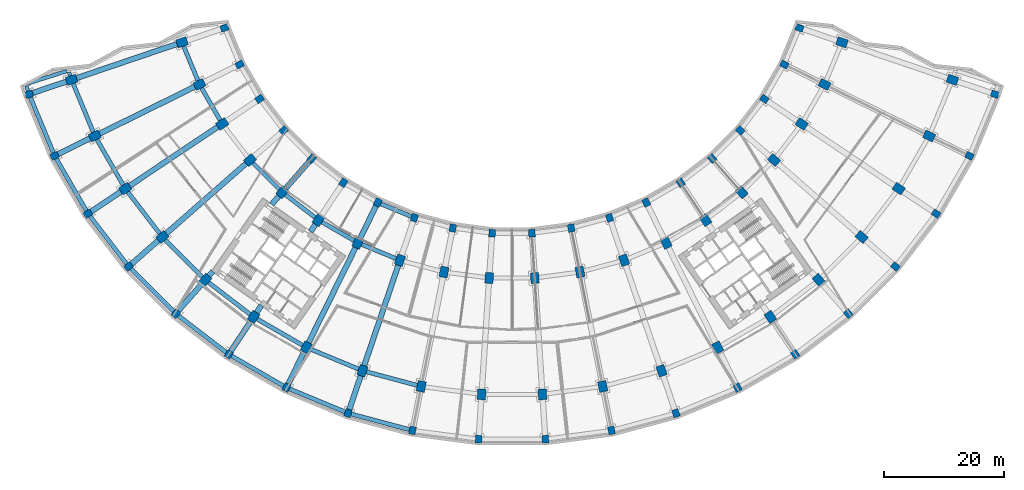
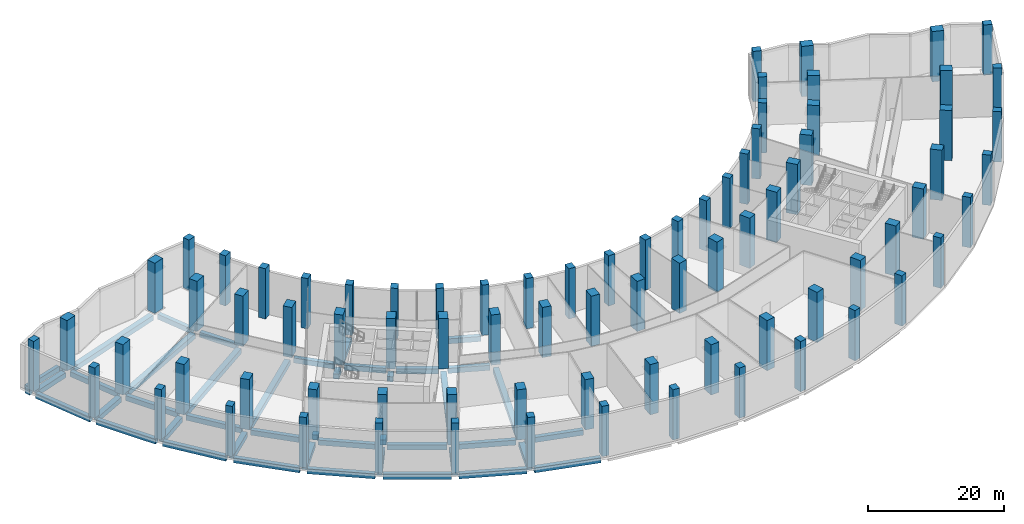
# One storey, part 1 of 19: 80 columns, 46 beams.
"""IFC4 building model written with IfcOpenShell, lengths in metres."""

from ifc_helpers import new_model, si_unit, direction, frame, origin, origin_2d, place, context, subcontext, project, spatial, rectangle, extrude, material, material_profile, profile_set, type_object, element, save


model = new_model("IFC4")

# Units and contexts
model_context = context("Model", 3, precision=1e-05, world=origin(), true_north=direction((0.0, 1.0)))
body_context = subcontext(model_context, "Body", "Model", "MODEL_VIEW")
ifc_project = project(units=[si_unit("LENGTHUNIT", "METRE"), si_unit("AREAUNIT", "SQUARE_METRE"), si_unit("VOLUMEUNIT", "CUBIC_METRE"), si_unit("PLANEANGLEUNIT", "RADIAN"), si_unit("MASSUNIT", "GRAM", prefix="KILO")], contexts=[model_context])

# Site, building, storey
site_placement = place(None, origin())
site = spatial("IfcSite", under=ifc_project, at=site_placement, CompositionType="ELEMENT")
building_placement = place(site_placement, origin())
building = spatial("IfcBuilding", under=site, at=building_placement, Name="Qamariyya Broadcast Tower", CompositionType="ELEMENT")
storey_placement = place(building_placement, frame((0.0, 0.0, 9.0)))
storey = spatial("IfcBuildingStorey", under=building, at=storey_placement, Name="L01", CompositionType="ELEMENT", Elevation=9.0)

# Columns
ifc_material_1 = material(Name="Concrete C70/85", Category="concrete")
ifc_material_profile_1 = material_profile(ifc_material_1, rectangle(XDim=1.10009765625, YDim=1.300048828125, at=origin_2d()))
ifc_profile_set_1 = profile_set([ifc_material_profile_1], Name="Concrete C70/85")
column_type_1 = type_object("IfcColumnType", Name="RC column 1100 x 1300 C70/85", PredefinedType="COLUMN", material=ifc_profile_set_1)
for number, where, z_axis, x_axis, name in (
    (1, (-48.056640625, -16.31298828125, 0.0), (0.0, 0.0, 1.0), (0.321439465303, -0.946930129495, 0.0), "Column C3 L01 A-R01"),
    (2, (-80.725830078125, -27.40283203125, 0.0), (0.0, 0.0, 1.0), (0.321439465303, -0.946930129495, 0.0), "Column C3 L01 D-R01"),
    (3, (-45.516357421875, -22.446044921875, 0.0), (0.0, 0.0, 1.0), (0.442288690219, -0.896872741533, 0.0), "Column C3 L01 A-R02"),
    (4, (-76.45849609375, -37.705078125, 0.0), (0.0, 0.0, 1.0), (0.442288690219, -0.896872741533, 0.0), "Column C3 L01 D-R02"),
    (5, (-42.197021484375, -28.195068359375, 0.0), (0.0, 0.0, 1.0), (0.55557023302, -0.831469612303, 0.0), "Column C3 L01 A-R03"),
    (6, (-70.8828125, -47.3623046875, 0.0), (0.0, 0.0, 1.0), (0.55557023302, -0.831469612303, 0.0), "Column C3 L01 D-R03"),
    (7, (-38.15576171875, -33.4619140625, 0.0), (0.0, 0.0, 1.0), (0.6593458151, -0.751839807479, 0.0), "Column C3 L01 A-R04"),
    (8, (-64.09423828125, -56.209228515625, 0.0), (0.0, 0.0, 1.0), (0.6593458151, -0.751839807479, 0.0), "Column C3 L01 D-R04"),
    (9, (-33.4619140625, -38.15576171875, 0.0), (0.0, 0.0, 1.0), (0.751839807479, -0.6593458151, 0.0), "Column C3 L01 A-R05"),
    (10, (-56.209228515625, -64.09423828125, 0.0), (0.0, 0.0, 1.0), (0.751839807479, -0.6593458151, 0.0), "Column C3 L01 D-R05"),
    (11, (-28.195068359375, -42.197021484375, 0.0), (0.0, 0.0, 1.0), (0.831469612303, -0.55557023302, 0.0), "Column C3 L01 A-R06"),
    (12, (-47.3623046875, -70.8828125, 0.0), (0.0, 0.0, 1.0), (0.831469612303, -0.55557023302, 0.0), "Column C3 L01 D-R06"),
    (13, (-22.446044921875, -45.516357421875, 0.0), (0.0, 0.0, 1.0), (0.896872741533, -0.442288690219, 0.0), "Column C3 L01 A-R07"),
    (14, (-37.705078125, -76.45849609375, 0.0), (0.0, 0.0, 1.0), (0.896872741533, -0.442288690219, 0.0), "Column C3 L01 D-R07"),
    (15, (-16.31298828125, -48.056640625, 0.0), (0.0, 0.0, 1.0), (0.946930129495, -0.321439465303, 0.0), "Column C3 L01 A-R08"),
    (16, (-27.40283203125, -80.725830078125, 0.0), (0.0, 0.0, 1.0), (0.946930129495, -0.321439465303, 0.0), "Column C3 L01 D-R08"),
    (17, (-9.90087890625, -49.77490234375, 0.0), (0.0, 0.0, 1.0), (0.980785280403, -0.195090322016, 0.0), "Column C3 L01 A-R09"),
    (18, (-16.63134765625, -83.612060546875, 0.0), (0.0, 0.0, 1.0), (0.980785280403, -0.195090322016, 0.0), "Column C3 L01 D-R09"),
    (19, (-3.319091796875, -50.641357421875, 0.0), (0.0, 0.0, 1.0), (0.997858923239, -0.06540312923, 0.0), "Column C3 L01 A-R10"),
    (20, (-5.57568359375, -85.0673828125, 0.0), (0.0, 0.0, 1.0), (0.997858923239, -0.06540312923, 0.0), "Column C3 L01 D-R10"),
    (21, (3.319091796875, -50.641357421875, 0.0), (0.0, 0.0, 1.0), (0.997858923239, 0.06540312923, 0.0), "Column C3 L01 A-R11"),
    (22, (5.57568359375, -85.0673828125, 0.0), (0.0, 0.0, 1.0), (0.997858923239, 0.06540312923, 0.0), "Column C3 L01 D-R11"),
    (23, (9.90087890625, -49.77490234375, 0.0), (0.0, 0.0, 1.0), (0.980785280403, 0.195090322016, 0.0), "Column C3 L01 A-R12"),
    (24, (16.63134765625, -83.612060546875, 0.0), (0.0, 0.0, 1.0), (0.980785280403, 0.195090322016, 0.0), "Column C3 L01 D-R12"),
    (25, (16.31298828125, -48.056640625, 0.0), (0.0, 0.0, 1.0), (0.946930129495, 0.321439465303, 0.0), "Column C3 L01 A-R13"),
    (26, (27.40283203125, -80.725830078125, 0.0), (0.0, 0.0, 1.0), (0.946930129495, 0.321439465303, 0.0), "Column C3 L01 D-R13"),
    (27, (22.446044921875, -45.516357421875, 0.0), (0.0, 0.0, 1.0), (0.896872741533, 0.442288690219, 0.0), "Column C3 L01 A-R14"),
    (28, (37.705078125, -76.45849609375, 0.0), (0.0, 0.0, 1.0), (0.896872741533, 0.442288690219, 0.0), "Column C3 L01 D-R14"),
    (29, (28.195068359375, -42.197021484375, 0.0), (0.0, 0.0, 1.0), (0.831469612303, 0.55557023302, 0.0), "Column C3 L01 A-R15"),
    (30, (47.3623046875, -70.8828125, 0.0), (0.0, 0.0, 1.0), (0.831469612303, 0.55557023302, 0.0), "Column C3 L01 D-R15"),
    (31, (33.4619140625, -38.15576171875, 0.0), (0.0, 0.0, 1.0), (0.751839807479, 0.6593458151, 0.0), "Column C3 L01 A-R16"),
    (32, (56.209228515625, -64.09423828125, 0.0), (0.0, 0.0, 1.0), (0.751839807479, 0.6593458151, 0.0), "Column C3 L01 D-R16"),
    (33, (38.15576171875, -33.4619140625, 0.0), (0.0, 0.0, 1.0), (0.6593458151, 0.751839807479, 0.0), "Column C3 L01 A-R17"),
    (34, (64.09423828125, -56.209228515625, 0.0), (0.0, 0.0, 1.0), (0.6593458151, 0.751839807479, 0.0), "Column C3 L01 D-R17"),
    (35, (42.197021484375, -28.195068359375, 0.0), (0.0, 0.0, 1.0), (0.55557023302, 0.831469612303, 0.0), "Column C3 L01 A-R18"),
    (36, (70.8828125, -47.3623046875, 0.0), (0.0, 0.0, 1.0), (0.55557023302, 0.831469612303, 0.0), "Column C3 L01 D-R18"),
    (37, (45.516357421875, -22.446044921875, 0.0), (0.0, 0.0, 1.0), (0.442288690219, 0.896872741533, 0.0), "Column C3 L01 A-R19"),
    (38, (76.45849609375, -37.705078125, 0.0), (0.0, 0.0, 1.0), (0.442288690219, 0.896872741533, 0.0), "Column C3 L01 D-R19"),
    (39, (48.056640625, -16.31298828125, 0.0), (0.0, 0.0, 1.0), (0.321439465303, 0.946930129495, 0.0), "Column C3 L01 A-R20"),
    (40, (80.725830078125, -27.40283203125, 0.0), (0.0, 0.0, 1.0), (0.321439465303, 0.946930129495, 0.0), "Column C3 L01 D-R20"),
):
    element("IfcColumn", number, at=place(storey_placement, frame(where, z_axis=z_axis, x_axis=x_axis)), inside=storey, type_object=column_type_1, Name=name, PredefinedType="COLUMN", context=body_context, shape_type="SweptSolid", body=[
        extrude(rectangle(XDim=1.10009765625, YDim=1.300048828125, at=origin_2d()), origin(), (0.0, 0.0, 1.0), 9.0),
    ])
ifc_material_profile_2 = material_profile(ifc_material_1, rectangle(XDim=1.39990234375, YDim=1.800048828125, at=origin_2d()))
ifc_profile_set_2 = profile_set([ifc_material_profile_2], Name="Concrete C70/85")
column_type_2 = type_object("IfcColumnType", Name="RC column 1400 x 1800 C70/85", PredefinedType="COLUMN", material=ifc_profile_set_2)
for number, where, z_axis, x_axis, name in (
    (41, (-55.15869140625, -18.723876953125, 0.0), (0.0, 0.0, 1.0), (0.321439465303, -0.946930129495, 0.0), "Column C4 L01 B-R01"),
    (42, (-73.623779296875, -24.991943359375, 0.0), (0.0, 0.0, 1.0), (0.321439465303, -0.946930129495, 0.0), "Column C4 L01 C-R01"),
    (43, (-52.242919921875, -25.763427734375, 0.0), (0.0, 0.0, 1.0), (0.442288690219, -0.896872741533, 0.0), "Column C4 L01 B-R02"),
    (44, (-69.73193359375, -34.387939453125, 0.0), (0.0, 0.0, 1.0), (0.442288690219, -0.896872741533, 0.0), "Column C4 L01 C-R02"),
    (45, (-48.43310546875, -32.362060546875, 0.0), (0.0, 0.0, 1.0), (0.55557023302, -0.831469612303, 0.0), "Column C4 L01 B-R03"),
    (46, (-64.646728515625, -43.195556640625, 0.0), (0.0, 0.0, 1.0), (0.55557023302, -0.831469612303, 0.0), "Column C4 L01 C-R03"),
    (47, (-43.794677734375, -38.406982421875, 0.0), (0.0, 0.0, 1.0), (0.6593458151, -0.751839807479, 0.0), "Column C4 L01 B-R04"),
    (48, (-58.45556640625, -51.26416015625, 0.0), (0.0, 0.0, 1.0), (0.6593458151, -0.751839807479, 0.0), "Column C4 L01 C-R04"),
    (49, (-38.406982421875, -43.794677734375, 0.0), (0.0, 0.0, 1.0), (0.751839807479, -0.6593458151, 0.0), "Column C4 L01 B-R05"),
    (50, (-51.26416015625, -58.45556640625, 0.0), (0.0, 0.0, 1.0), (0.751839807479, -0.6593458151, 0.0), "Column C4 L01 C-R05"),
    (51, (-32.362060546875, -48.43310546875, 0.0), (0.0, 0.0, 1.0), (0.831469612303, -0.55557023302, 0.0), "Column C4 L01 B-R06"),
    (52, (-43.195556640625, -64.646728515625, 0.0), (0.0, 0.0, 1.0), (0.831469612303, -0.55557023302, 0.0), "Column C4 L01 C-R06"),
    (53, (-25.763427734375, -52.242919921875, 0.0), (0.0, 0.0, 1.0), (0.896872741533, -0.442288690219, 0.0), "Column C4 L01 B-R07"),
    (54, (-34.387939453125, -69.73193359375, 0.0), (0.0, 0.0, 1.0), (0.896872741533, -0.442288690219, 0.0), "Column C4 L01 C-R07"),
    (55, (-18.723876953125, -55.15869140625, 0.0), (0.0, 0.0, 1.0), (0.946930129495, -0.321439465303, 0.0), "Column C4 L01 B-R08"),
    (56, (-24.991943359375, -73.623779296875, 0.0), (0.0, 0.0, 1.0), (0.946930129495, -0.321439465303, 0.0), "Column C4 L01 C-R08"),
    (57, (-11.364013671875, -57.130859375, 0.0), (0.0, 0.0, 1.0), (0.980785280403, -0.195090322016, 0.0), "Column C4 L01 B-R09"),
    (58, (-15.168212890625, -76.256103515625, 0.0), (0.0, 0.0, 1.0), (0.980785280403, -0.195090322016, 0.0), "Column C4 L01 C-R09"),
    (59, (-3.809814453125, -58.125244140625, 0.0), (0.0, 0.0, 1.0), (0.997858923239, -0.06540312923, 0.0), "Column C4 L01 B-R10"),
    (60, (-5.085205078125, -77.58349609375, 0.0), (0.0, 0.0, 1.0), (0.997858923239, -0.06540312923, 0.0), "Column C4 L01 C-R10"),
    (61, (3.809814453125, -58.125244140625, 0.0), (0.0, 0.0, 1.0), (0.997858923239, 0.06540312923, 0.0), "Column C4 L01 B-R11"),
    (62, (5.085205078125, -77.58349609375, 0.0), (0.0, 0.0, 1.0), (0.997858923239, 0.06540312923, 0.0), "Column C4 L01 C-R11"),
    (63, (11.364013671875, -57.130859375, 0.0), (0.0, 0.0, 1.0), (0.980785280403, 0.195090322016, 0.0), "Column C4 L01 B-R12"),
    (64, (15.168212890625, -76.256103515625, 0.0), (0.0, 0.0, 1.0), (0.980785280403, 0.195090322016, 0.0), "Column C4 L01 C-R12"),
    (65, (18.723876953125, -55.15869140625, 0.0), (0.0, 0.0, 1.0), (0.946930129495, 0.321439465303, 0.0), "Column C4 L01 B-R13"),
    (66, (24.991943359375, -73.623779296875, 0.0), (0.0, 0.0, 1.0), (0.946930129495, 0.321439465303, 0.0), "Column C4 L01 C-R13"),
    (67, (25.763427734375, -52.242919921875, 0.0), (0.0, 0.0, 1.0), (0.896872741533, 0.442288690219, 0.0), "Column C4 L01 B-R14"),
    (68, (34.387939453125, -69.73193359375, 0.0), (0.0, 0.0, 1.0), (0.896872741533, 0.442288690219, 0.0), "Column C4 L01 C-R14"),
    (69, (32.362060546875, -48.43310546875, 0.0), (0.0, 0.0, 1.0), (0.831469612303, 0.55557023302, 0.0), "Column C4 L01 B-R15"),
    (70, (43.195556640625, -64.646728515625, 0.0), (0.0, 0.0, 1.0), (0.831469612303, 0.55557023302, 0.0), "Column C4 L01 C-R15"),
    (71, (38.406982421875, -43.794677734375, 0.0), (0.0, 0.0, 1.0), (0.751839807479, 0.6593458151, 0.0), "Column C4 L01 B-R16"),
    (72, (51.26416015625, -58.45556640625, 0.0), (0.0, 0.0, 1.0), (0.751839807479, 0.6593458151, 0.0), "Column C4 L01 C-R16"),
    (73, (43.794677734375, -38.406982421875, 0.0), (0.0, 0.0, 1.0), (0.6593458151, 0.751839807479, 0.0), "Column C4 L01 B-R17"),
    (74, (58.45556640625, -51.26416015625, 0.0), (0.0, 0.0, 1.0), (0.6593458151, 0.751839807479, 0.0), "Column C4 L01 C-R17"),
    (75, (48.43310546875, -32.362060546875, 0.0), (0.0, 0.0, 1.0), (0.55557023302, 0.831469612303, 0.0), "Column C4 L01 B-R18"),
    (76, (64.646728515625, -43.195556640625, 0.0), (0.0, 0.0, 1.0), (0.55557023302, 0.831469612303, 0.0), "Column C4 L01 C-R18"),
    (77, (52.242919921875, -25.763427734375, 0.0), (0.0, 0.0, 1.0), (0.442288690219, 0.896872741533, 0.0), "Column C4 L01 B-R19"),
    (78, (69.73193359375, -34.387939453125, 0.0), (0.0, 0.0, 1.0), (0.442288690219, 0.896872741533, 0.0), "Column C4 L01 C-R19"),
    (79, (55.15869140625, -18.723876953125, 0.0), (0.0, 0.0, 1.0), (0.321439465303, 0.946930129495, 0.0), "Column C4 L01 B-R20"),
    (80, (73.623779296875, -24.991943359375, 0.0), (0.0, 0.0, 1.0), (0.321439465303, 0.946930129495, 0.0), "Column C4 L01 C-R20"),
):
    element("IfcColumn", number, at=place(storey_placement, frame(where, z_axis=z_axis, x_axis=x_axis)), inside=storey, type_object=column_type_2, Name=name, PredefinedType="COLUMN", context=body_context, shape_type="SweptSolid", body=[
        extrude(rectangle(XDim=1.39990234375, YDim=1.800048828125, at=origin_2d()), origin(), (0.0, 0.0, 1.0), 9.0),
    ])

# Beams
ifc_material_2 = material(Name="Concrete C50/60", Category="concrete")
ifc_material_profile_3 = material_profile(ifc_material_2, rectangle(XDim=0.699951171875, YDim=0.89990234375, at=origin_2d()))
ifc_profile_set_3 = profile_set([ifc_material_profile_3], Name="Concrete C50/60")
beam_type_1 = type_object("IfcBeamType", Name="RC edge beam 700 x 900 C50/60", PredefinedType="SPANDREL", material=ifc_profile_set_3)
beam_1_placement = place(storey_placement, frame((-21.93701171875, -45.727294921875, -0.85009765625), z_axis=(0.92389160204, -0.382654292645, 0.0), x_axis=(0.382654292645, 0.92389160204, 0.0)))
element("IfcBeam", 81, at=beam_1_placement, inside=storey, type_object=beam_type_1, Name="Edge beam B2 L01 A R07-R08", PredefinedType="SPANDREL", context=body_context, shape_type="SweptSolid", body=[
    extrude(rectangle(XDim=0.699951171875, YDim=0.89990234375, at=origin_2d()), origin(), (0.0, 0.0, 1.0), 5.5361328125),
])
for number, where, z_axis, x_axis, name in (
    (82, (-54.89013671875, -19.3720703125, -0.85009765625), (0.38268477858, -0.92387897489, 0.0), (0.92387897489, 0.38268477858, 0.0), "Edge beam B2 L01 B R01-R02"),
    (83, (-51.89208984375, -26.370849609375, -0.85009765625), (0.499995558535, -0.86602796805, 0.0), (0.86602796805, 0.499995558535, 0.0), "Edge beam B2 L01 B R02-R03"),
):
    element("IfcBeam", number, at=place(storey_placement, frame(where, z_axis=z_axis, x_axis=x_axis)), inside=storey, type_object=beam_type_1, Name=name, PredefinedType="SPANDREL", context=body_context, shape_type="SweptSolid", body=[
        extrude(rectangle(XDim=0.699951171875, YDim=0.89990234375, at=origin_2d()), origin(), (0.0, 0.0, 1.0), 6.21630859375),
    ])
for number, where, z_axis, x_axis, name in (
    (84, (-43.298583984375, -38.90283203125, -0.85009765625), (0.707106781187, -0.707106781187, 0.0), (0.707106781187, 0.707106781187, 0.0), "Edge beam B2 L01 B R04-R05"),
    (85, (-37.850341796875, -44.2216796875, -0.85009765625), (0.793349024913, -0.608767052878, 0.0), (0.608767052878, 0.793349024913, 0.0), "Edge beam B2 L01 B R05-R06"),
):
    element("IfcBeam", number, at=place(storey_placement, frame(where, z_axis=z_axis, x_axis=x_axis)), inside=storey, type_object=beam_type_1, Name=name, PredefinedType="SPANDREL", context=body_context, shape_type="SweptSolid", body=[
        extrude(rectangle(XDim=0.699951171875, YDim=0.89990234375, at=origin_2d()), origin(), (0.0, 0.0, 1.0), 6.216552734375),
    ])
for number, where, z_axis, x_axis, name in (
    (86, (-31.75439453125, -48.783935546875, -0.85009765625), (0.86602796805, -0.499995558535, 0.0), (0.499995558535, 0.86602796805, 0.0), "Edge beam B2 L01 B R06-R07"),
    (87, (-25.115234375, -52.51123046875, -0.85009765625), (0.92387897489, -0.38268477858, 0.0), (0.38268477858, 0.92387897489, 0.0), "Edge beam B2 L01 B R07-R08"),
):
    element("IfcBeam", number, at=place(storey_placement, frame(where, z_axis=z_axis, x_axis=x_axis)), inside=storey, type_object=beam_type_1, Name=name, PredefinedType="SPANDREL", context=body_context, shape_type="SweptSolid", body=[
        extrude(rectangle(XDim=0.699951171875, YDim=0.89990234375, at=origin_2d()), origin(), (0.0, 0.0, 1.0), 6.21630859375),
    ])
beam_2_placement = place(storey_placement, frame((-73.35546875, -25.64013671875, -0.85009765625), z_axis=(0.38270841035, -0.923869185896, 0.0), x_axis=(0.923869185896, 0.38270841035, 0.0)))
element("IfcBeam", 88, at=beam_2_placement, inside=storey, type_object=beam_type_1, Name="Edge beam B2 L01 C R01-R02", PredefinedType="SPANDREL", context=body_context, shape_type="SweptSolid", body=[
    extrude(rectangle(XDim=0.699951171875, YDim=0.89990234375, at=origin_2d()), origin(), (0.0, 0.0, 1.0), 8.76708984375),
])
beam_3_placement = place(storey_placement, frame((-69.381103515625, -34.995361328125, -0.85009765625), z_axis=(0.499987607361, -0.86603255856, 0.0), x_axis=(0.86603255856, 0.499987607361, 0.0)))
element("IfcBeam", 89, at=beam_3_placement, inside=storey, type_object=beam_type_1, Name="Edge beam B2 L01 C R02-R03", PredefinedType="SPANDREL", context=body_context, shape_type="SweptSolid", body=[
    extrude(rectangle(XDim=0.699951171875, YDim=0.89990234375, at=origin_2d()), origin(), (0.0, 0.0, 1.0), 8.767333984375),
])
for number, where, z_axis, x_axis, name in (
    (90, (-64.2197265625, -43.752197265625, -0.85009765625), (0.608772321187, -0.79334498231, 0.0), (0.79334498231, 0.608772321187, 0.0), "Edge beam B2 L01 C R03-R04"),
    (91, (-57.95947265625, -51.76025390625, -0.85009765625), (0.707106781187, -0.707106781187, 0.0), (0.707106781187, 0.707106781187, 0.0), "Edge beam B2 L01 C R04-R05"),
    (92, (-50.70751953125, -58.882568359375, -0.85009765625), (0.79334498231, -0.608772321187, 0.0), (0.608772321187, 0.79334498231, 0.0), "Edge beam B2 L01 C R05-R06"),
):
    element("IfcBeam", number, at=place(storey_placement, frame(where, z_axis=z_axis, x_axis=x_axis)), inside=storey, type_object=beam_type_1, Name=name, PredefinedType="SPANDREL", context=body_context, shape_type="SweptSolid", body=[
        extrude(rectangle(XDim=0.699951171875, YDim=0.89990234375, at=origin_2d()), origin(), (0.0, 0.0, 1.0), 8.76708984375),
    ])
beam_4_placement = place(storey_placement, frame((-42.588134765625, -64.99755859375, -0.85009765625), z_axis=(0.86603255856, -0.499987607361, 0.0), x_axis=(0.499987607361, 0.86603255856, 0.0)))
element("IfcBeam", 93, at=beam_4_placement, inside=storey, type_object=beam_type_1, Name="Edge beam B2 L01 C R06-R07", PredefinedType="SPANDREL", context=body_context, shape_type="SweptSolid", body=[
    extrude(rectangle(XDim=0.699951171875, YDim=0.89990234375, at=origin_2d()), origin(), (0.0, 0.0, 1.0), 8.767333984375),
])
for number, where, z_axis, x_axis, name in (
    (94, (-33.73974609375, -70.000244140625, -0.85009765625), (0.923869185896, -0.38270841035, 0.0), (0.38270841035, 0.923869185896, 0.0), "Edge beam B2 L01 C R07-R08"),
    (95, (-24.314208984375, -73.805419921875, -0.85009765625), (0.965926422845, -0.258816818714, 0.0), (0.258816818714, 0.965926422845, 0.0), "Edge beam B2 L01 C R08-R09"),
):
    element("IfcBeam", number, at=place(storey_placement, frame(where, z_axis=z_axis, x_axis=x_axis)), inside=storey, type_object=beam_type_1, Name=name, PredefinedType="SPANDREL", context=body_context, shape_type="SweptSolid", body=[
        extrude(rectangle(XDim=0.699951171875, YDim=0.89990234375, at=origin_2d()), origin(), (0.0, 0.0, 1.0), 8.76708984375),
    ])
for number, where, z_axis, x_axis, name in (
    (96, (-80.514892578125, -27.911865234375, -0.85009765625), (0.382677229034, -0.923882101991, 0.0), (0.923882101991, 0.382677229034, 0.0), "Edge beam B2 L01 D R01-R02"),
    (97, (-76.182861328125, -38.182373046875, -0.85009765625), (0.499995851058, -0.866027799164, 0.0), (0.866027799164, 0.499995851058, 0.0), "Edge beam B2 L01 D R02-R03"),
):
    element("IfcBeam", number, at=place(storey_placement, frame(where, z_axis=z_axis, x_axis=x_axis)), inside=storey, type_object=beam_type_1, Name=name, PredefinedType="SPANDREL", context=body_context, shape_type="SweptSolid", body=[
        extrude(rectangle(XDim=0.699951171875, YDim=0.89990234375, at=origin_2d()), origin(), (0.0, 0.0, 1.0), 10.048828125),
    ])
for number, where, z_axis, x_axis, name in (
    (98, (-70.54736328125, -47.799560546875, -0.85009765625), (0.608760468816, -0.793354077072, 0.0), (0.793354077072, 0.608760468816, 0.0), "Edge beam B2 L01 D R03-R04"),
    (99, (-63.70458984375, -56.598876953125, -0.85009765625), (0.707106781187, -0.707106781187, 0.0), (0.707106781187, 0.707106781187, 0.0), "Edge beam B2 L01 D R04-R05"),
    (100, (-55.77197265625, -64.429931640625, -0.85009765625), (0.793354077072, -0.608760468816, 0.0), (0.608760468816, 0.793354077072, 0.0), "Edge beam B2 L01 D R05-R06"),
):
    element("IfcBeam", number, at=place(storey_placement, frame(where, z_axis=z_axis, x_axis=x_axis)), inside=storey, type_object=beam_type_1, Name=name, PredefinedType="SPANDREL", context=body_context, shape_type="SweptSolid", body=[
        extrude(rectangle(XDim=0.699951171875, YDim=0.89990234375, at=origin_2d()), origin(), (0.0, 0.0, 1.0), 10.049072265625),
    ])
for number, where, z_axis, x_axis, name in (
    (101, (-46.885009765625, -71.158447265625, -0.85009765625), (0.866027799164, -0.499995851058, 0.0), (0.499995851058, 0.866027799164, 0.0), "Edge beam B2 L01 D R06-R07"),
    (102, (-37.19580078125, -76.66943359375, -0.85009765625), (0.923882101991, -0.382677229034, 0.0), (0.382677229034, 0.923882101991, 0.0), "Edge beam B2 L01 D R07-R08"),
    (103, (-26.870361328125, -80.868408203125, -0.85009765625), (0.96592657939, -0.258816234475, 0.0), (0.258816234475, 0.96592657939, 0.0), "Edge beam B2 L01 D R08-R09"),
):
    element("IfcBeam", number, at=place(storey_placement, frame(where, z_axis=z_axis, x_axis=x_axis)), inside=storey, type_object=beam_type_1, Name=name, PredefinedType="SPANDREL", context=body_context, shape_type="SweptSolid", body=[
        extrude(rectangle(XDim=0.699951171875, YDim=0.89990234375, at=origin_2d()), origin(), (0.0, 0.0, 1.0), 10.048828125),
    ])
ifc_material_profile_4 = material_profile(ifc_material_2, rectangle(XDim=0.60009765625, YDim=0.89990234375, at=origin_2d()))
ifc_profile_set_4 = profile_set([ifc_material_profile_4], Name="Concrete C50/60")
beam_type_2 = type_object("IfcBeamType", Name="RC horn beam 600 x 900 C50/60", PredefinedType="BEAM", material=ifc_profile_set_4)
beam_5_placement = place(storey_placement, frame((-73.841796875, -24.32666015625, -0.85009765625), z_axis=(-0.311677221784, 0.95018803898, 0.0), x_axis=(-0.95018803898, -0.311677221784, 0.0)))
element("IfcBeam", 104, at=beam_5_placement, inside=storey, type_object=beam_type_2, Name="Horn beam B3 L01 W C-R01", PredefinedType="BEAM", context=body_context, shape_type="SweptSolid", body=[
    extrude(rectangle(XDim=0.60009765625, YDim=0.89990234375, at=origin_2d()), origin(), (0.0, 0.0, 1.0), 0.628173828125),
])
beam_6_placement = place(storey_placement, frame((-80.897216796875, -26.880126953125, -0.85009765625), z_axis=(-0.31136908678, 0.95028905697, 0.0), x_axis=(-0.95028905697, -0.31136908678, 0.0)))
element("IfcBeam", 105, at=beam_6_placement, inside=storey, type_object=beam_type_2, Name="Horn beam B3 L01 W D-R01", PredefinedType="BEAM", context=body_context, shape_type="SweptSolid", body=[
    extrude(rectangle(XDim=0.60009765625, YDim=0.89990234375, at=origin_2d()), origin(), (0.0, 0.0, 1.0), 0.935302734375),
])
ifc_material_profile_5 = material_profile(ifc_material_2, rectangle(XDim=0.60009765625, YDim=0.89990234375, at=origin_2d()))
ifc_profile_set_5 = profile_set([ifc_material_profile_5], Name="Concrete C50/60")
beam_type_3 = type_object("IfcBeamType", Name="RC horn cap beam 600 x 900 C50/60", PredefinedType="BEAM", material=ifc_profile_set_5)
beam_7_placement = place(storey_placement, frame((-74.4169921875, -23.53515625, -0.85009765625), z_axis=(-0.953456380288, -0.301530978321, 0.0), x_axis=(0.301530978321, -0.953456380288, 0.0)))
element("IfcBeam", 106, at=beam_7_placement, inside=storey, type_object=beam_type_3, Name="Horn cap beam B4 L01 W C-D", PredefinedType="BEAM", context=body_context, shape_type="SweptSolid", body=[
    extrude(rectangle(XDim=0.60009765625, YDim=0.89990234375, at=origin_2d()), origin(), (0.0, 0.0, 1.0), 6.89990234375),
])
ifc_material_profile_6 = material_profile(ifc_material_2, rectangle(XDim=0.89990234375, YDim=0.89990234375, at=origin_2d()))
ifc_profile_set_6 = profile_set([ifc_material_profile_6], Name="Concrete C50/60")
beam_type_4 = type_object("IfcBeamType", Name="RC radial beam 900 x 900 C50/60", PredefinedType="BEAM", material=ifc_profile_set_6)
beam_8_placement = place(storey_placement, frame((-56.010986328125, -19.01318359375, -0.85009765625), z_axis=(-0.946929601856, -0.321441019674, 0.0), x_axis=(0.321441019674, -0.946929601856, 0.0)))
element("IfcBeam", 107, at=beam_8_placement, inside=storey, type_object=beam_type_4, Name="Radial beam B1 L01 R01 B-C", PredefinedType="BEAM", context=body_context, shape_type="SweptSolid", body=[
    extrude(rectangle(XDim=0.89990234375, YDim=0.89990234375, at=origin_2d()), origin(), (0.0, 0.0, 1.0), 17.699951171875),
])
beam_9_placement = place(storey_placement, frame((-74.47607421875, -25.28125, -0.85009765625), z_axis=(-0.946929197619, -0.32144221051, 0.0), x_axis=(0.32144221051, -0.946929197619, 0.0)))
element("IfcBeam", 108, at=beam_9_placement, inside=storey, type_object=beam_type_4, Name="Radial beam B1 L01 R01 C-D", PredefinedType="BEAM", context=body_context, shape_type="SweptSolid", body=[
    extrude(rectangle(XDim=0.89990234375, YDim=0.89990234375, at=origin_2d()), origin(), (0.0, 0.0, 1.0), 5.949951171875),
])
beam_10_placement = place(storey_placement, frame((-53.050048828125, -26.161376953125, -0.85009765625), z_axis=(-0.896868921808, -0.442296435771, 0.0), x_axis=(0.442296435771, -0.896868921808, 0.0)))
element("IfcBeam", 109, at=beam_10_placement, inside=storey, type_object=beam_type_4, Name="Radial beam B1 L01 R02 B-C", PredefinedType="BEAM", context=body_context, shape_type="SweptSolid", body=[
    extrude(rectangle(XDim=0.89990234375, YDim=0.89990234375, at=origin_2d()), origin(), (0.0, 0.0, 1.0), 17.699951171875),
])
beam_11_placement = place(storey_placement, frame((-70.5390625, -34.785888671875, -0.85009765625), z_axis=(-0.896859276255, -0.442315994054, 0.0), x_axis=(0.442315994054, -0.896859276255, 0.0)))
element("IfcBeam", 110, at=beam_11_placement, inside=storey, type_object=beam_type_4, Name="Radial beam B1 L01 R02 C-D", PredefinedType="BEAM", context=body_context, shape_type="SweptSolid", body=[
    extrude(rectangle(XDim=0.89990234375, YDim=0.89990234375, at=origin_2d()), origin(), (0.0, 0.0, 1.0), 5.9501953125),
])
beam_12_placement = place(storey_placement, frame((-49.181396484375, -32.862060546875, -0.85009765625), z_axis=(-0.831472648212, -0.555565689433, 0.0), x_axis=(0.555565689433, -0.831472648212, 0.0)))
element("IfcBeam", 111, at=beam_12_placement, inside=storey, type_object=beam_type_4, Name="Radial beam B1 L01 R03 B-C", PredefinedType="BEAM", context=body_context, shape_type="SweptSolid", body=[
    extrude(rectangle(XDim=0.89990234375, YDim=0.89990234375, at=origin_2d()), origin(), (0.0, 0.0, 1.0), 17.699951171875),
])
beam_13_placement = place(storey_placement, frame((-65.39501953125, -43.695556640625, -0.85009765625), z_axis=(-0.831469080044, -0.555571029599, 0.0), x_axis=(0.555571029599, -0.831469080044, 0.0)))
element("IfcBeam", 112, at=beam_13_placement, inside=storey, type_object=beam_type_4, Name="Radial beam B1 L01 R03 C-D", PredefinedType="BEAM", context=body_context, shape_type="SweptSolid", body=[
    extrude(rectangle(XDim=0.89990234375, YDim=0.89990234375, at=origin_2d()), origin(), (0.0, 0.0, 1.0), 5.949951171875),
])
beam_14_placement = place(storey_placement, frame((-44.471435546875, -39.000244140625, -0.85009765625), z_axis=(-0.751835404461, -0.659350835746, 0.0), x_axis=(0.659350835746, -0.751835404461, 0.0)))
element("IfcBeam", 113, at=beam_14_placement, inside=storey, type_object=beam_type_4, Name="Radial beam B1 L01 R04 B-C", PredefinedType="BEAM", context=body_context, shape_type="SweptSolid", body=[
    extrude(rectangle(XDim=0.89990234375, YDim=0.89990234375, at=origin_2d()), origin(), (0.0, 0.0, 1.0), 17.699951171875),
])
beam_15_placement = place(storey_placement, frame((-59.132080078125, -51.857666015625, -0.85009765625), z_axis=(-0.75185438517, -0.659329192059, 0.0), x_axis=(0.659329192059, -0.75185438517, 0.0)))
element("IfcBeam", 114, at=beam_15_placement, inside=storey, type_object=beam_type_4, Name="Radial beam B1 L01 R04 C-D", PredefinedType="BEAM", context=body_context, shape_type="SweptSolid", body=[
    extrude(rectangle(XDim=0.89990234375, YDim=0.89990234375, at=origin_2d()), origin(), (0.0, 0.0, 1.0), 5.9501953125),
])
beam_16_placement = place(storey_placement, frame((-33.890380859375, -38.64453125, -0.85009765625), z_axis=(-0.659349532377, -0.751836547498, 0.0), x_axis=(0.751836547498, -0.659349532377, 0.0)))
element("IfcBeam", 115, at=beam_16_placement, inside=storey, type_object=beam_type_4, Name="Radial beam B1 L01 R05 A-B", PredefinedType="BEAM", context=body_context, shape_type="SweptSolid", body=[
    extrude(rectangle(XDim=0.89990234375, YDim=0.89990234375, at=origin_2d()), origin(), (0.0, 0.0, 1.0), 5.949951171875),
])
beam_17_placement = place(storey_placement, frame((-39.000244140625, -44.471435546875, -0.85009765625), z_axis=(-0.65939107141, -0.751800116351, 0.0), x_axis=(0.751800116351, -0.65939107141, 0.0)))
element("IfcBeam", 116, at=beam_17_placement, inside=storey, type_object=beam_type_4, Name="Radial beam B1 L01 R05 B-C", PredefinedType="BEAM", context=body_context, shape_type="SweptSolid", body=[
    extrude(rectangle(XDim=0.89990234375, YDim=0.89990234375, at=origin_2d()), origin(), (0.0, 0.0, 1.0), 1.8125),
])
beam_18_placement = place(storey_placement, frame((-50.011962890625, -57.027587890625, -0.85009765625), z_axis=(-0.659282746956, -0.751895112077, 0.0), x_axis=(0.751895112077, -0.659282746956, 0.0)))
element("IfcBeam", 117, at=beam_18_placement, inside=storey, type_object=beam_type_4, Name="Radial beam B1 L01 R05 B-C", PredefinedType="BEAM", context=body_context, shape_type="SweptSolid", body=[
    extrude(rectangle(XDim=0.89990234375, YDim=0.89990234375, at=origin_2d()), origin(), (0.0, 0.0, 1.0), 0.9990234375),
])
beam_19_placement = place(storey_placement, frame((-51.857666015625, -59.132080078125, -0.85009765625), z_axis=(-0.659329192059, -0.75185438517, 0.0), x_axis=(0.75185438517, -0.659329192059, 0.0)))
element("IfcBeam", 118, at=beam_19_placement, inside=storey, type_object=beam_type_4, Name="Radial beam B1 L01 R05 C-D", PredefinedType="BEAM", context=body_context, shape_type="SweptSolid", body=[
    extrude(rectangle(XDim=0.89990234375, YDim=0.89990234375, at=origin_2d()), origin(), (0.0, 0.0, 1.0), 5.9501953125),
])
beam_20_placement = place(storey_placement, frame((-32.862060546875, -49.181396484375, -0.85009765625), z_axis=(-0.555469378272, -0.831536992443, 0.0), x_axis=(0.831536992443, -0.555469378272, 0.0)))
element("IfcBeam", 119, at=beam_20_placement, inside=storey, type_object=beam_type_4, Name="Radial beam B1 L01 R06 B-C", PredefinedType="BEAM", context=body_context, shape_type="SweptSolid", body=[
    extrude(rectangle(XDim=0.89990234375, YDim=0.89990234375, at=origin_2d()), origin(), (0.0, 0.0, 1.0), 1.464599609375),
])
beam_21_placement = place(storey_placement, frame((-41.89990234375, -62.707763671875, -0.85009765625), z_axis=(-0.555604740558, -0.831446554067, 0.0), x_axis=(0.831446554067, -0.555604740558, 0.0)))
element("IfcBeam", 120, at=beam_21_placement, inside=storey, type_object=beam_type_4, Name="Radial beam B1 L01 R06 B-C", PredefinedType="BEAM", context=body_context, shape_type="SweptSolid", body=[
    extrude(rectangle(XDim=0.89990234375, YDim=0.89990234375, at=origin_2d()), origin(), (0.0, 0.0, 1.0), 1.43212890625),
])
beam_22_placement = place(storey_placement, frame((-43.695556640625, -65.39501953125, -0.85009765625), z_axis=(-0.555571029599, -0.831469080044, 0.0), x_axis=(0.831469080044, -0.555571029599, 0.0)))
element("IfcBeam", 121, at=beam_22_placement, inside=storey, type_object=beam_type_4, Name="Radial beam B1 L01 R06 C-D", PredefinedType="BEAM", context=body_context, shape_type="SweptSolid", body=[
    extrude(rectangle(XDim=0.89990234375, YDim=0.89990234375, at=origin_2d()), origin(), (0.0, 0.0, 1.0), 5.949951171875),
])
beam_23_placement = place(storey_placement, frame((-22.733642578125, -46.099365234375, -0.85009765625), z_axis=(-0.442299266236, -0.896867525941, 0.0), x_axis=(0.896867525941, -0.442299266236, 0.0)))
element("IfcBeam", 122, at=beam_23_placement, inside=storey, type_object=beam_type_4, Name="Radial beam B1 L01 R07 A-B", PredefinedType="BEAM", context=body_context, shape_type="SweptSolid", body=[
    extrude(rectangle(XDim=0.89990234375, YDim=0.89990234375, at=origin_2d()), origin(), (0.0, 0.0, 1.0), 5.94970703125),
])
beam_24_placement = place(storey_placement, frame((-26.161376953125, -53.050048828125, -0.85009765625), z_axis=(-0.442296435771, -0.896868921808, 0.0), x_axis=(0.896868921808, -0.442296435771, 0.0)))
element("IfcBeam", 123, at=beam_24_placement, inside=storey, type_object=beam_type_4, Name="Radial beam B1 L01 R07 B-C", PredefinedType="BEAM", context=body_context, shape_type="SweptSolid", body=[
    extrude(rectangle(XDim=0.89990234375, YDim=0.89990234375, at=origin_2d()), origin(), (0.0, 0.0, 1.0), 17.699951171875),
])
beam_25_placement = place(storey_placement, frame((-34.785888671875, -70.5390625, -0.85009765625), z_axis=(-0.442315994054, -0.896859276255, 0.0), x_axis=(0.896859276255, -0.442315994054, 0.0)))
element("IfcBeam", 124, at=beam_25_placement, inside=storey, type_object=beam_type_4, Name="Radial beam B1 L01 R07 C-D", PredefinedType="BEAM", context=body_context, shape_type="SweptSolid", body=[
    extrude(rectangle(XDim=0.89990234375, YDim=0.89990234375, at=origin_2d()), origin(), (0.0, 0.0, 1.0), 5.9501953125),
])
beam_26_placement = place(storey_placement, frame((-19.01318359375, -56.010986328125, -0.85009765625), z_axis=(-0.321441019674, -0.946929601856, 0.0), x_axis=(0.946929601856, -0.321441019674, 0.0)))
element("IfcBeam", 125, at=beam_26_placement, inside=storey, type_object=beam_type_4, Name="Radial beam B1 L01 R08 B-C", PredefinedType="BEAM", context=body_context, shape_type="SweptSolid", body=[
    extrude(rectangle(XDim=0.89990234375, YDim=0.89990234375, at=origin_2d()), origin(), (0.0, 0.0, 1.0), 17.699951171875),
])
beam_27_placement = place(storey_placement, frame((-25.28125, -74.47607421875, -0.85009765625), z_axis=(-0.32144221051, -0.946929197619, 0.0), x_axis=(0.946929197619, -0.32144221051, 0.0)))
element("IfcBeam", 126, at=beam_27_placement, inside=storey, type_object=beam_type_4, Name="Radial beam B1 L01 R08 C-D", PredefinedType="BEAM", context=body_context, shape_type="SweptSolid", body=[
    extrude(rectangle(XDim=0.89990234375, YDim=0.89990234375, at=origin_2d()), origin(), (0.0, 0.0, 1.0), 5.949951171875),
])

save(model, "model.ifc")
